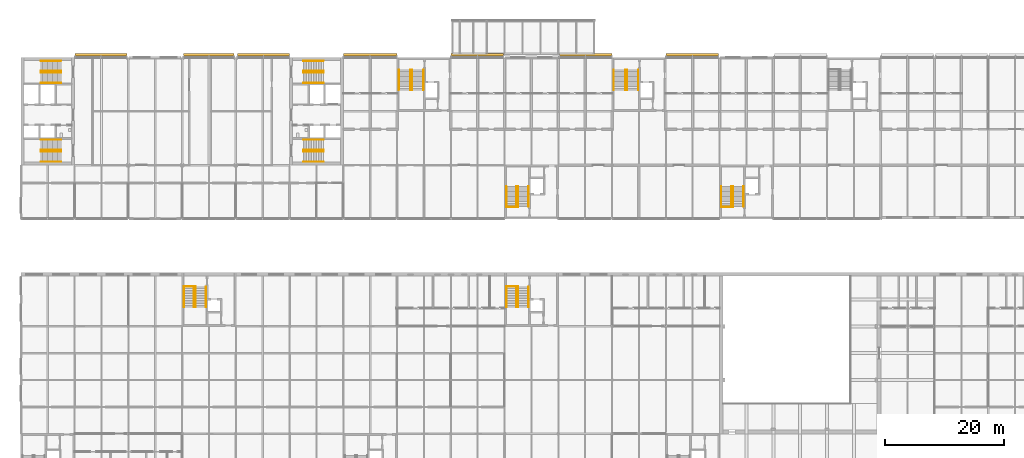
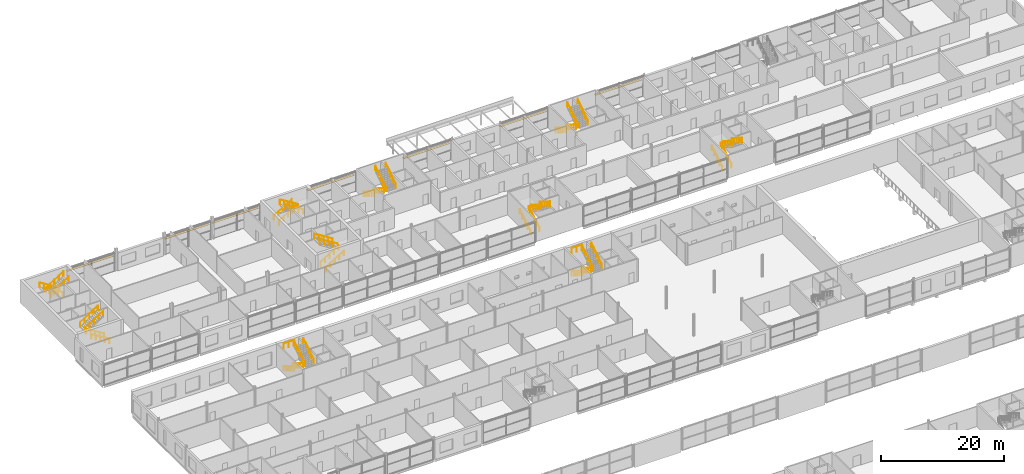
# One storey, part 95 of 97: 44 railings, 7 shading devices.
"""IFC4 building model written with IfcOpenShell, lengths in metres."""

from ifc_helpers import new_model, si_unit, direction, frame, origin, origin_2d, place, context, subcontext, project, spatial, rectangle, circle, extrude, material, layer, layer_set, type_object, element, save


model = new_model("IFC4")

# Units and contexts
model_context = context("Model", 3, precision=1e-05, world=origin(), true_north=direction((0.0, 1.0)))
body_context = subcontext(model_context, "Body", "Model", "MODEL_VIEW")
ifc_project = project(units=[si_unit("LENGTHUNIT", "METRE"), si_unit("AREAUNIT", "SQUARE_METRE"), si_unit("VOLUMEUNIT", "CUBIC_METRE"), si_unit("PLANEANGLEUNIT", "RADIAN"), si_unit("MASSUNIT", "GRAM", prefix="KILO")], contexts=[model_context])

# Site, building, storey
site_placement = place(None, origin())
site = spatial("IfcSite", under=ifc_project, at=site_placement, CompositionType="ELEMENT")
building_placement = place(site_placement, origin())
building = spatial("IfcBuilding", under=site, at=building_placement, Name="Corbel Yard City Hall", CompositionType="ELEMENT")
storey_placement = place(building_placement, frame((0.0, 0.0, 6.0)))
storey = spatial("IfcBuildingStorey", under=building, at=storey_placement, Name="L01", CompositionType="ELEMENT", Elevation=6.0)

# Railings
ifc_material_1 = material(Name="Stainless steel Grade 316", Category="steel")
railing_type_1 = type_object("IfcRailingType", Name="GR1", PredefinedType="GUARDRAIL", material=ifc_material_1)
for number, where, name in (
    (1, (27.300048828125, 78.64990234375, 4.5), "Exit stair guard"),
    (2, (81.300048828125, 78.64990234375, 4.5), "Exit stair guard"),
    (3, (81.300048828125, 92.0, 4.5), "Exit stair guard"),
    (4, (117.300048828125, 92.0, 4.5), "Exit stair guard"),
):
    element("IfcRailing", number, at=place(storey_placement, frame(where)), inside=storey, type_object=railing_type_1, Name=name, PredefinedType="GUARDRAIL", context=body_context, shape_type="SweptSolid", body=[
        extrude(circle(Radius=0.02392578125, at=origin_2d()), frame((0.0, 0.0, 1.076171875), z_axis=(1.0, 0.0, 0.0), x_axis=(0.0, 1.0, 0.0)), (0.0, 0.0, 1.0), 1.949951171875),
        extrude(circle(Radius=0.02099609375, at=origin_2d()), origin(), (0.0, 0.0, 1.0), 1.052001953125),
        extrude(circle(Radius=0.02099609375, at=origin_2d()), frame((0.97509765625, 0.0, 0.0)), (0.0, 0.0, 1.0), 1.052001953125),
        extrude(circle(Radius=0.02099609375, at=origin_2d()), frame((1.949951171875, 0.0, 0.0)), (0.0, 0.0, 1.0), 1.052001953125),
    ])
railing_type_2 = type_object("IfcRailingType", Name="HR1", PredefinedType="HANDRAIL", material=ifc_material_1)
for number, where, name in (
    (5, (27.300048828125, 78.60009765625, 0.173095703125), "Exit stair handrail"),
    (6, (29.0, 78.60009765625, 0.173095703125), "Exit stair handrail"),
):
    element("IfcRailing", number, at=place(storey_placement, frame(where)), inside=storey, type_object=railing_type_2, Name=name, PredefinedType="HANDRAIL", context=body_context, shape_type="SweptSolid", body=[
        extrude(circle(Radius=0.02392578125, at=origin_2d()), frame((0.0, 0.0, 0.8759765625), z_axis=(0.0, -0.850623216509, 0.525775754039), x_axis=(1.0, 0.0, 0.0)), (0.0, 0.0, 1.0), 3.9501953125),
        extrude(circle(Radius=0.02099609375, at=origin_2d()), origin(), (0.0, 0.0, 1.0), 0.851806640625),
        extrude(circle(Radius=0.02099609375, at=origin_2d()), frame((0.0, -0.840087890625, 0.519287109375)), (0.0, 0.0, 1.0), 0.851806640625),
        extrude(circle(Radius=0.02099609375, at=origin_2d()), frame((0.0, -1.68017578125, 1.03857421875)), (0.0, 0.0, 1.0), 0.851806640625),
        extrude(circle(Radius=0.02099609375, at=origin_2d()), frame((0.0, -2.52001953125, 1.5576171875)), (0.0, 0.0, 1.0), 0.851806640625),
        extrude(circle(Radius=0.02099609375, at=origin_2d()), frame((0.0, -3.360107421875, 2.076904296875)), (0.0, 0.0, 1.0), 0.851806640625),
    ])
for number, where, name in (
    (7, (29.300048828125, 75.239990234375, 2.423095703125), "Exit stair handrail"),
    (8, (31.0, 75.239990234375, 2.423095703125), "Exit stair handrail"),
):
    element("IfcRailing", number, at=place(storey_placement, frame(where)), inside=storey, type_object=railing_type_2, Name=name, PredefinedType="HANDRAIL", context=body_context, shape_type="SweptSolid", body=[
        extrude(circle(Radius=0.02392578125, at=origin_2d()), frame((0.0, 0.0, 0.8759765625), z_axis=(0.0, 0.850623216509, 0.525775754039), x_axis=(-1.0, 0.0, 0.0)), (0.0, 0.0, 1.0), 3.9501953125),
        extrude(circle(Radius=0.02099609375, at=origin_2d()), origin(), (0.0, 0.0, 1.0), 0.851806640625),
        extrude(circle(Radius=0.02099609375, at=origin_2d()), frame((0.0, 0.840087890625, 0.519287109375)), (0.0, 0.0, 1.0), 0.851806640625),
        extrude(circle(Radius=0.02099609375, at=origin_2d()), frame((0.0, 1.68017578125, 1.03857421875)), (0.0, 0.0, 1.0), 0.851806640625),
        extrude(circle(Radius=0.02099609375, at=origin_2d()), frame((0.0, 2.52001953125, 1.5576171875)), (0.0, 0.0, 1.0), 0.851806640625),
        extrude(circle(Radius=0.02099609375, at=origin_2d()), frame((0.0, 3.360107421875, 2.076904296875)), (0.0, 0.0, 1.0), 0.851806640625),
    ])
for number, where, name in (
    (9, (81.300048828125, 78.60009765625, 0.173095703125), "Exit stair handrail"),
    (10, (83.0, 78.60009765625, 0.173095703125), "Exit stair handrail"),
):
    element("IfcRailing", number, at=place(storey_placement, frame(where)), inside=storey, type_object=railing_type_2, Name=name, PredefinedType="HANDRAIL", context=body_context, shape_type="SweptSolid", body=[
        extrude(circle(Radius=0.02392578125, at=origin_2d()), frame((0.0, 0.0, 0.8759765625), z_axis=(0.0, -0.850623216509, 0.525775754039), x_axis=(1.0, 0.0, 0.0)), (0.0, 0.0, 1.0), 3.9501953125),
        extrude(circle(Radius=0.02099609375, at=origin_2d()), origin(), (0.0, 0.0, 1.0), 0.851806640625),
        extrude(circle(Radius=0.02099609375, at=origin_2d()), frame((0.0, -0.840087890625, 0.519287109375)), (0.0, 0.0, 1.0), 0.851806640625),
        extrude(circle(Radius=0.02099609375, at=origin_2d()), frame((0.0, -1.68017578125, 1.03857421875)), (0.0, 0.0, 1.0), 0.851806640625),
        extrude(circle(Radius=0.02099609375, at=origin_2d()), frame((0.0, -2.52001953125, 1.5576171875)), (0.0, 0.0, 1.0), 0.851806640625),
        extrude(circle(Radius=0.02099609375, at=origin_2d()), frame((0.0, -3.360107421875, 2.076904296875)), (0.0, 0.0, 1.0), 0.851806640625),
    ])
for number, where, name in (
    (11, (83.300048828125, 75.239990234375, 2.423095703125), "Exit stair handrail"),
    (12, (85.0, 75.239990234375, 2.423095703125), "Exit stair handrail"),
):
    element("IfcRailing", number, at=place(storey_placement, frame(where)), inside=storey, type_object=railing_type_2, Name=name, PredefinedType="HANDRAIL", context=body_context, shape_type="SweptSolid", body=[
        extrude(circle(Radius=0.02392578125, at=origin_2d()), frame((0.0, 0.0, 0.8759765625), z_axis=(0.0, 0.850623216509, 0.525775754039), x_axis=(-1.0, 0.0, 0.0)), (0.0, 0.0, 1.0), 3.9501953125),
        extrude(circle(Radius=0.02099609375, at=origin_2d()), origin(), (0.0, 0.0, 1.0), 0.851806640625),
        extrude(circle(Radius=0.02099609375, at=origin_2d()), frame((0.0, 0.840087890625, 0.519287109375)), (0.0, 0.0, 1.0), 0.851806640625),
        extrude(circle(Radius=0.02099609375, at=origin_2d()), frame((0.0, 1.68017578125, 1.03857421875)), (0.0, 0.0, 1.0), 0.851806640625),
        extrude(circle(Radius=0.02099609375, at=origin_2d()), frame((0.0, 2.52001953125, 1.5576171875)), (0.0, 0.0, 1.0), 0.851806640625),
        extrude(circle(Radius=0.02099609375, at=origin_2d()), frame((0.0, 3.360107421875, 2.076904296875)), (0.0, 0.0, 1.0), 0.851806640625),
    ])
for number, where, name in (
    (13, (63.300048828125, 114.949951171875, 0.173095703125), "Exit stair handrail"),
    (14, (65.199951171875, 114.949951171875, 0.173095703125), "Exit stair handrail"),
):
    element("IfcRailing", number, at=place(storey_placement, frame(where)), inside=storey, type_object=railing_type_2, Name=name, PredefinedType="HANDRAIL", context=body_context, shape_type="SweptSolid", body=[
        extrude(circle(Radius=0.02392578125, at=origin_2d()), frame((0.0, 0.0, 0.8759765625), z_axis=(0.0, -0.850606129759, 0.525803396734), x_axis=(1.0, 0.0, 0.0)), (0.0, 0.0, 1.0), 3.949951171875),
        extrude(circle(Radius=0.02099609375, at=origin_2d()), origin(), (0.0, 0.0, 1.0), 0.851806640625),
        extrude(circle(Radius=0.02099609375, at=origin_2d()), frame((0.0, -0.83984375, 0.519287109375)), (0.0, 0.0, 1.0), 0.851806640625),
        extrude(circle(Radius=0.02099609375, at=origin_2d()), frame((0.0, -1.679931640625, 1.03857421875)), (0.0, 0.0, 1.0), 0.851806640625),
        extrude(circle(Radius=0.02099609375, at=origin_2d()), frame((0.0, -2.52001953125, 1.5576171875)), (0.0, 0.0, 1.0), 0.851806640625),
        extrude(circle(Radius=0.02099609375, at=origin_2d()), frame((0.0, -3.35986328125, 2.076904296875)), (0.0, 0.0, 1.0), 0.851806640625),
    ])
for number, where, name in (
    (15, (65.5, 111.590087890625, 2.423095703125), "Exit stair handrail"),
    (16, (67.39990234375, 111.590087890625, 2.423095703125), "Exit stair handrail"),
):
    element("IfcRailing", number, at=place(storey_placement, frame(where)), inside=storey, type_object=railing_type_2, Name=name, PredefinedType="HANDRAIL", context=body_context, shape_type="SweptSolid", body=[
        extrude(circle(Radius=0.02392578125, at=origin_2d()), frame((0.0, 0.0, 0.8759765625), z_axis=(0.0, 0.850606129759, 0.525803396734), x_axis=(-1.0, 0.0, 0.0)), (0.0, 0.0, 1.0), 3.949951171875),
        extrude(circle(Radius=0.02099609375, at=origin_2d()), origin(), (0.0, 0.0, 1.0), 0.851806640625),
        extrude(circle(Radius=0.02099609375, at=origin_2d()), frame((0.0, 0.83984375, 0.519287109375)), (0.0, 0.0, 1.0), 0.851806640625),
        extrude(circle(Radius=0.02099609375, at=origin_2d()), frame((0.0, 1.679931640625, 1.03857421875)), (0.0, 0.0, 1.0), 0.851806640625),
        extrude(circle(Radius=0.02099609375, at=origin_2d()), frame((0.0, 2.52001953125, 1.5576171875)), (0.0, 0.0, 1.0), 0.851806640625),
        extrude(circle(Radius=0.02099609375, at=origin_2d()), frame((0.0, 3.35986328125, 2.076904296875)), (0.0, 0.0, 1.0), 0.851806640625),
    ])
for number, where, name in (
    (17, (99.300048828125, 114.949951171875, 0.173095703125), "Exit stair handrail"),
    (18, (101.199951171875, 114.949951171875, 0.173095703125), "Exit stair handrail"),
):
    element("IfcRailing", number, at=place(storey_placement, frame(where)), inside=storey, type_object=railing_type_2, Name=name, PredefinedType="HANDRAIL", context=body_context, shape_type="SweptSolid", body=[
        extrude(circle(Radius=0.02392578125, at=origin_2d()), frame((0.0, 0.0, 0.8759765625), z_axis=(0.0, -0.850606129759, 0.525803396734), x_axis=(1.0, 0.0, 0.0)), (0.0, 0.0, 1.0), 3.949951171875),
        extrude(circle(Radius=0.02099609375, at=origin_2d()), origin(), (0.0, 0.0, 1.0), 0.851806640625),
        extrude(circle(Radius=0.02099609375, at=origin_2d()), frame((0.0, -0.83984375, 0.519287109375)), (0.0, 0.0, 1.0), 0.851806640625),
        extrude(circle(Radius=0.02099609375, at=origin_2d()), frame((0.0, -1.679931640625, 1.03857421875)), (0.0, 0.0, 1.0), 0.851806640625),
        extrude(circle(Radius=0.02099609375, at=origin_2d()), frame((0.0, -2.52001953125, 1.5576171875)), (0.0, 0.0, 1.0), 0.851806640625),
        extrude(circle(Radius=0.02099609375, at=origin_2d()), frame((0.0, -3.35986328125, 2.076904296875)), (0.0, 0.0, 1.0), 0.851806640625),
    ])
for number, where, name in (
    (19, (101.5, 111.590087890625, 2.423095703125), "Exit stair handrail"),
    (20, (103.39990234375, 111.590087890625, 2.423095703125), "Exit stair handrail"),
    (21, (81.300048828125, 92.050048828125, 0.173095703125), "Exit stair handrail"),
    (22, (83.0, 92.050048828125, 0.173095703125), "Exit stair handrail"),
):
    element("IfcRailing", number, at=place(storey_placement, frame(where)), inside=storey, type_object=railing_type_2, Name=name, PredefinedType="HANDRAIL", context=body_context, shape_type="SweptSolid", body=[
        extrude(circle(Radius=0.02392578125, at=origin_2d()), frame((0.0, 0.0, 0.8759765625), z_axis=(0.0, 0.850606129759, 0.525803396734), x_axis=(-1.0, 0.0, 0.0)), (0.0, 0.0, 1.0), 3.949951171875),
        extrude(circle(Radius=0.02099609375, at=origin_2d()), origin(), (0.0, 0.0, 1.0), 0.851806640625),
        extrude(circle(Radius=0.02099609375, at=origin_2d()), frame((0.0, 0.83984375, 0.519287109375)), (0.0, 0.0, 1.0), 0.851806640625),
        extrude(circle(Radius=0.02099609375, at=origin_2d()), frame((0.0, 1.679931640625, 1.03857421875)), (0.0, 0.0, 1.0), 0.851806640625),
        extrude(circle(Radius=0.02099609375, at=origin_2d()), frame((0.0, 2.52001953125, 1.5576171875)), (0.0, 0.0, 1.0), 0.851806640625),
        extrude(circle(Radius=0.02099609375, at=origin_2d()), frame((0.0, 3.35986328125, 2.076904296875)), (0.0, 0.0, 1.0), 0.851806640625),
    ])
for number, where, name in (
    (23, (83.300048828125, 95.409912109375, 2.423095703125), "Exit stair handrail"),
    (24, (85.0, 95.409912109375, 2.423095703125), "Exit stair handrail"),
):
    element("IfcRailing", number, at=place(storey_placement, frame(where)), inside=storey, type_object=railing_type_2, Name=name, PredefinedType="HANDRAIL", context=body_context, shape_type="SweptSolid", body=[
        extrude(circle(Radius=0.02392578125, at=origin_2d()), frame((0.0, 0.0, 0.8759765625), z_axis=(0.0, -0.850606129759, 0.525803396734), x_axis=(1.0, 0.0, 0.0)), (0.0, 0.0, 1.0), 3.949951171875),
        extrude(circle(Radius=0.02099609375, at=origin_2d()), origin(), (0.0, 0.0, 1.0), 0.851806640625),
        extrude(circle(Radius=0.02099609375, at=origin_2d()), frame((0.0, -0.83984375, 0.519287109375)), (0.0, 0.0, 1.0), 0.851806640625),
        extrude(circle(Radius=0.02099609375, at=origin_2d()), frame((0.0, -1.679931640625, 1.03857421875)), (0.0, 0.0, 1.0), 0.851806640625),
        extrude(circle(Radius=0.02099609375, at=origin_2d()), frame((0.0, -2.52001953125, 1.5576171875)), (0.0, 0.0, 1.0), 0.851806640625),
        extrude(circle(Radius=0.02099609375, at=origin_2d()), frame((0.0, -3.35986328125, 2.076904296875)), (0.0, 0.0, 1.0), 0.851806640625),
    ])
for number, where, name in (
    (25, (117.300048828125, 92.050048828125, 0.173095703125), "Exit stair handrail"),
    (26, (119.0, 92.050048828125, 0.173095703125), "Exit stair handrail"),
):
    element("IfcRailing", number, at=place(storey_placement, frame(where)), inside=storey, type_object=railing_type_2, Name=name, PredefinedType="HANDRAIL", context=body_context, shape_type="SweptSolid", body=[
        extrude(circle(Radius=0.02392578125, at=origin_2d()), frame((0.0, 0.0, 0.8759765625), z_axis=(0.0, 0.850606129759, 0.525803396734), x_axis=(-1.0, 0.0, 0.0)), (0.0, 0.0, 1.0), 3.949951171875),
        extrude(circle(Radius=0.02099609375, at=origin_2d()), origin(), (0.0, 0.0, 1.0), 0.851806640625),
        extrude(circle(Radius=0.02099609375, at=origin_2d()), frame((0.0, 0.83984375, 0.519287109375)), (0.0, 0.0, 1.0), 0.851806640625),
        extrude(circle(Radius=0.02099609375, at=origin_2d()), frame((0.0, 1.679931640625, 1.03857421875)), (0.0, 0.0, 1.0), 0.851806640625),
        extrude(circle(Radius=0.02099609375, at=origin_2d()), frame((0.0, 2.52001953125, 1.5576171875)), (0.0, 0.0, 1.0), 0.851806640625),
        extrude(circle(Radius=0.02099609375, at=origin_2d()), frame((0.0, 3.35986328125, 2.076904296875)), (0.0, 0.0, 1.0), 0.851806640625),
    ])
for number, where, name in (
    (27, (119.300048828125, 95.409912109375, 2.423095703125), "Exit stair handrail"),
    (28, (121.0, 95.409912109375, 2.423095703125), "Exit stair handrail"),
):
    element("IfcRailing", number, at=place(storey_placement, frame(where)), inside=storey, type_object=railing_type_2, Name=name, PredefinedType="HANDRAIL", context=body_context, shape_type="SweptSolid", body=[
        extrude(circle(Radius=0.02392578125, at=origin_2d()), frame((0.0, 0.0, 0.8759765625), z_axis=(0.0, -0.850606129759, 0.525803396734), x_axis=(1.0, 0.0, 0.0)), (0.0, 0.0, 1.0), 3.949951171875),
        extrude(circle(Radius=0.02099609375, at=origin_2d()), origin(), (0.0, 0.0, 1.0), 0.851806640625),
        extrude(circle(Radius=0.02099609375, at=origin_2d()), frame((0.0, -0.83984375, 0.519287109375)), (0.0, 0.0, 1.0), 0.851806640625),
        extrude(circle(Radius=0.02099609375, at=origin_2d()), frame((0.0, -1.679931640625, 1.03857421875)), (0.0, 0.0, 1.0), 0.851806640625),
        extrude(circle(Radius=0.02099609375, at=origin_2d()), frame((0.0, -2.52001953125, 1.5576171875)), (0.0, 0.0, 1.0), 0.851806640625),
        extrude(circle(Radius=0.02099609375, at=origin_2d()), frame((0.0, -3.35986328125, 2.076904296875)), (0.0, 0.0, 1.0), 0.851806640625),
    ])
for number, where, name in (
    (29, (6.699951171875, 99.550048828125, 0.173095703125), "Exit stair ST-W1 handrail"),
    (30, (6.699951171875, 101.25, 0.173095703125), "Exit stair ST-W1 handrail"),
):
    element("IfcRailing", number, at=place(storey_placement, frame(where)), inside=storey, type_object=railing_type_2, Name=name, PredefinedType="HANDRAIL", context=body_context, shape_type="SweptSolid", body=[
        extrude(circle(Radius=0.02392578125, at=origin_2d()), frame((0.0, 0.0, 0.8759765625), z_axis=(-0.850606129759, 0.0, 0.525803396734), x_axis=(0.0, -1.0, 0.0)), (0.0, 0.0, 1.0), 3.949951171875),
        extrude(circle(Radius=0.02099609375, at=origin_2d()), origin(), (0.0, 0.0, 1.0), 0.851806640625),
        extrude(circle(Radius=0.02099609375, at=origin_2d()), frame((-0.83984375, 0.0, 0.519287109375)), (0.0, 0.0, 1.0), 0.851806640625),
        extrude(circle(Radius=0.02099609375, at=origin_2d()), frame((-1.679931640625, 0.0, 1.03857421875)), (0.0, 0.0, 1.0), 0.851806640625),
        extrude(circle(Radius=0.02099609375, at=origin_2d()), frame((-2.52001953125, 0.0, 1.5576171875)), (0.0, 0.0, 1.0), 0.851806640625),
        extrude(circle(Radius=0.02099609375, at=origin_2d()), frame((-3.35986328125, 0.0, 2.076904296875)), (0.0, 0.0, 1.0), 0.851806640625),
    ])
for number, where, name in (
    (31, (3.340087890625, 101.550048828125, 2.423095703125), "Exit stair ST-W1 handrail"),
    (32, (3.340087890625, 103.25, 2.423095703125), "Exit stair ST-W1 handrail"),
):
    element("IfcRailing", number, at=place(storey_placement, frame(where)), inside=storey, type_object=railing_type_2, Name=name, PredefinedType="HANDRAIL", context=body_context, shape_type="SweptSolid", body=[
        extrude(circle(Radius=0.02392578125, at=origin_2d()), frame((0.0, 0.0, 0.8759765625), z_axis=(0.850606129759, 0.0, 0.525803396734), x_axis=(0.0, 1.0, 0.0)), (0.0, 0.0, 1.0), 3.949951171875),
        extrude(circle(Radius=0.02099609375, at=origin_2d()), origin(), (0.0, 0.0, 1.0), 0.851806640625),
        extrude(circle(Radius=0.02099609375, at=origin_2d()), frame((0.83984375, 0.0, 0.519287109375)), (0.0, 0.0, 1.0), 0.851806640625),
        extrude(circle(Radius=0.02099609375, at=origin_2d()), frame((1.679931640625, 0.0, 1.03857421875)), (0.0, 0.0, 1.0), 0.851806640625),
        extrude(circle(Radius=0.02099609375, at=origin_2d()), frame((2.52001953125, 0.0, 1.5576171875)), (0.0, 0.0, 1.0), 0.851806640625),
        extrude(circle(Radius=0.02099609375, at=origin_2d()), frame((3.35986328125, 0.0, 2.076904296875)), (0.0, 0.0, 1.0), 0.851806640625),
    ])
for number, where, name in (
    (33, (6.699951171875, 116.449951171875, 0.173095703125), "Exit stair ST-W2 handrail"),
    (34, (6.699951171875, 114.75, 0.173095703125), "Exit stair ST-W2 handrail"),
):
    element("IfcRailing", number, at=place(storey_placement, frame(where)), inside=storey, type_object=railing_type_2, Name=name, PredefinedType="HANDRAIL", context=body_context, shape_type="SweptSolid", body=[
        extrude(circle(Radius=0.02392578125, at=origin_2d()), frame((0.0, 0.0, 0.8759765625), z_axis=(-0.850606129759, 0.0, 0.525803396734), x_axis=(0.0, -1.0, 0.0)), (0.0, 0.0, 1.0), 3.949951171875),
        extrude(circle(Radius=0.02099609375, at=origin_2d()), origin(), (0.0, 0.0, 1.0), 0.851806640625),
        extrude(circle(Radius=0.02099609375, at=origin_2d()), frame((-0.83984375, 0.0, 0.519287109375)), (0.0, 0.0, 1.0), 0.851806640625),
        extrude(circle(Radius=0.02099609375, at=origin_2d()), frame((-1.679931640625, 0.0, 1.03857421875)), (0.0, 0.0, 1.0), 0.851806640625),
        extrude(circle(Radius=0.02099609375, at=origin_2d()), frame((-2.52001953125, 0.0, 1.5576171875)), (0.0, 0.0, 1.0), 0.851806640625),
        extrude(circle(Radius=0.02099609375, at=origin_2d()), frame((-3.35986328125, 0.0, 2.076904296875)), (0.0, 0.0, 1.0), 0.851806640625),
    ])
for number, where, name in (
    (35, (3.340087890625, 114.449951171875, 2.423095703125), "Exit stair ST-W2 handrail"),
    (36, (3.340087890625, 112.75, 2.423095703125), "Exit stair ST-W2 handrail"),
    (37, (47.300048828125, 99.550048828125, 0.173095703125), "Exit stair ST-E1 handrail"),
    (38, (47.300048828125, 101.25, 0.173095703125), "Exit stair ST-E1 handrail"),
):
    element("IfcRailing", number, at=place(storey_placement, frame(where)), inside=storey, type_object=railing_type_2, Name=name, PredefinedType="HANDRAIL", context=body_context, shape_type="SweptSolid", body=[
        extrude(circle(Radius=0.02392578125, at=origin_2d()), frame((0.0, 0.0, 0.8759765625), z_axis=(0.850606129759, 0.0, 0.525803396734), x_axis=(0.0, 1.0, 0.0)), (0.0, 0.0, 1.0), 3.949951171875),
        extrude(circle(Radius=0.02099609375, at=origin_2d()), origin(), (0.0, 0.0, 1.0), 0.851806640625),
        extrude(circle(Radius=0.02099609375, at=origin_2d()), frame((0.83984375, 0.0, 0.519287109375)), (0.0, 0.0, 1.0), 0.851806640625),
        extrude(circle(Radius=0.02099609375, at=origin_2d()), frame((1.679931640625, 0.0, 1.03857421875)), (0.0, 0.0, 1.0), 0.851806640625),
        extrude(circle(Radius=0.02099609375, at=origin_2d()), frame((2.52001953125, 0.0, 1.5576171875)), (0.0, 0.0, 1.0), 0.851806640625),
        extrude(circle(Radius=0.02099609375, at=origin_2d()), frame((3.35986328125, 0.0, 2.076904296875)), (0.0, 0.0, 1.0), 0.851806640625),
    ])
for number, where, name in (
    (39, (50.659912109375, 101.550048828125, 2.423095703125), "Exit stair ST-E1 handrail"),
    (40, (50.659912109375, 103.25, 2.423095703125), "Exit stair ST-E1 handrail"),
):
    element("IfcRailing", number, at=place(storey_placement, frame(where)), inside=storey, type_object=railing_type_2, Name=name, PredefinedType="HANDRAIL", context=body_context, shape_type="SweptSolid", body=[
        extrude(circle(Radius=0.02392578125, at=origin_2d()), frame((0.0, 0.0, 0.8759765625), z_axis=(-0.850606129759, 0.0, 0.525803396734), x_axis=(0.0, -1.0, 0.0)), (0.0, 0.0, 1.0), 3.949951171875),
        extrude(circle(Radius=0.02099609375, at=origin_2d()), origin(), (0.0, 0.0, 1.0), 0.851806640625),
        extrude(circle(Radius=0.02099609375, at=origin_2d()), frame((-0.83984375, 0.0, 0.519287109375)), (0.0, 0.0, 1.0), 0.851806640625),
        extrude(circle(Radius=0.02099609375, at=origin_2d()), frame((-1.679931640625, 0.0, 1.03857421875)), (0.0, 0.0, 1.0), 0.851806640625),
        extrude(circle(Radius=0.02099609375, at=origin_2d()), frame((-2.52001953125, 0.0, 1.5576171875)), (0.0, 0.0, 1.0), 0.851806640625),
        extrude(circle(Radius=0.02099609375, at=origin_2d()), frame((-3.35986328125, 0.0, 2.076904296875)), (0.0, 0.0, 1.0), 0.851806640625),
    ])
for number, where, name in (
    (41, (47.300048828125, 116.449951171875, 0.173095703125), "Exit stair ST-E2 handrail"),
    (42, (47.300048828125, 114.75, 0.173095703125), "Exit stair ST-E2 handrail"),
):
    element("IfcRailing", number, at=place(storey_placement, frame(where)), inside=storey, type_object=railing_type_2, Name=name, PredefinedType="HANDRAIL", context=body_context, shape_type="SweptSolid", body=[
        extrude(circle(Radius=0.02392578125, at=origin_2d()), frame((0.0, 0.0, 0.8759765625), z_axis=(0.850606129759, 0.0, 0.525803396734), x_axis=(0.0, 1.0, 0.0)), (0.0, 0.0, 1.0), 3.949951171875),
        extrude(circle(Radius=0.02099609375, at=origin_2d()), origin(), (0.0, 0.0, 1.0), 0.851806640625),
        extrude(circle(Radius=0.02099609375, at=origin_2d()), frame((0.83984375, 0.0, 0.519287109375)), (0.0, 0.0, 1.0), 0.851806640625),
        extrude(circle(Radius=0.02099609375, at=origin_2d()), frame((1.679931640625, 0.0, 1.03857421875)), (0.0, 0.0, 1.0), 0.851806640625),
        extrude(circle(Radius=0.02099609375, at=origin_2d()), frame((2.52001953125, 0.0, 1.5576171875)), (0.0, 0.0, 1.0), 0.851806640625),
        extrude(circle(Radius=0.02099609375, at=origin_2d()), frame((3.35986328125, 0.0, 2.076904296875)), (0.0, 0.0, 1.0), 0.851806640625),
    ])
for number, where, name in (
    (43, (50.659912109375, 114.449951171875, 2.423095703125), "Exit stair ST-E2 handrail"),
    (44, (50.659912109375, 112.75, 2.423095703125), "Exit stair ST-E2 handrail"),
):
    element("IfcRailing", number, at=place(storey_placement, frame(where)), inside=storey, type_object=railing_type_2, Name=name, PredefinedType="HANDRAIL", context=body_context, shape_type="SweptSolid", body=[
        extrude(circle(Radius=0.02392578125, at=origin_2d()), frame((0.0, 0.0, 0.8759765625), z_axis=(-0.850606129759, 0.0, 0.525803396734), x_axis=(0.0, -1.0, 0.0)), (0.0, 0.0, 1.0), 3.949951171875),
        extrude(circle(Radius=0.02099609375, at=origin_2d()), origin(), (0.0, 0.0, 1.0), 0.851806640625),
        extrude(circle(Radius=0.02099609375, at=origin_2d()), frame((-0.83984375, 0.0, 0.519287109375)), (0.0, 0.0, 1.0), 0.851806640625),
        extrude(circle(Radius=0.02099609375, at=origin_2d()), frame((-1.679931640625, 0.0, 1.03857421875)), (0.0, 0.0, 1.0), 0.851806640625),
        extrude(circle(Radius=0.02099609375, at=origin_2d()), frame((-2.52001953125, 0.0, 1.5576171875)), (0.0, 0.0, 1.0), 0.851806640625),
        extrude(circle(Radius=0.02099609375, at=origin_2d()), frame((-3.35986328125, 0.0, 2.076904296875)), (0.0, 0.0, 1.0), 0.851806640625),
    ])

# Shading devices
ifc_material_2 = material(Name="Anodised aluminium", Category="aluminium")
ifc_layer = layer(ifc_material_2, 0.050048828125)
ifc_layer_set = layer_set([ifc_layer], Name="Anodised aluminium")
shading_device_type = type_object("IfcShadingDeviceType", Name="LV2", PredefinedType="JALOUSIE", material=ifc_layer_set)
shading_device_1_placement = place(storey_placement, frame((13.3798828125, 117.47509765625, 2.77001953125), z_axis=(0.0, 0.0, 1.0), x_axis=(1.0, 0.0, 0.0)))
element("IfcShadingDevice", 45, at=shading_device_1_placement, inside=storey, type_object=shading_device_type, Name="Louvre blade", PredefinedType="JALOUSIE", context=body_context, shape_type="SweptSolid", body=[
    extrude(rectangle(XDim=8.695068359375, YDim=0.449951171875, at=origin_2d()), origin(), (0.0, 0.0, 1.0), 0.050048828125),
])
shading_device_2_placement = place(storey_placement, frame((31.5, 117.47509765625, 2.77001953125), z_axis=(0.0, 0.0, 1.0), x_axis=(1.0, 0.0, 0.0)))
element("IfcShadingDevice", 46, at=shading_device_2_placement, inside=storey, type_object=shading_device_type, Name="Louvre blade", PredefinedType="JALOUSIE", context=body_context, shape_type="SweptSolid", body=[
    extrude(rectangle(XDim=8.455078125, YDim=0.449951171875, at=origin_2d()), origin(), (0.0, 0.0, 1.0), 0.050048828125),
])
shading_device_3_placement = place(storey_placement, frame((40.6201171875, 117.47509765625, 2.77001953125), z_axis=(0.0, 0.0, 1.0), x_axis=(1.0, 0.0, 0.0)))
element("IfcShadingDevice", 47, at=shading_device_3_placement, inside=storey, type_object=shading_device_type, Name="Louvre blade", PredefinedType="JALOUSIE", context=body_context, shape_type="SweptSolid", body=[
    extrude(rectangle(XDim=8.695068359375, YDim=0.449951171875, at=origin_2d()), origin(), (0.0, 0.0, 1.0), 0.050048828125),
])
shading_device_4_placement = place(storey_placement, frame((58.5, 117.47509765625, 3.0), z_axis=(0.0, 0.0, 1.0), x_axis=(1.0, 0.0, 0.0)))
element("IfcShadingDevice", 48, at=shading_device_4_placement, inside=storey, type_object=shading_device_type, Name="Louvre blade", PredefinedType="JALOUSIE", context=body_context, shape_type="SweptSolid", body=[
    extrude(rectangle(XDim=8.93505859375, YDim=0.449951171875, at=origin_2d()), origin(), (0.0, 0.0, 1.0), 0.050048828125),
])
for number, where, z_axis, x_axis, name in (
    (49, (76.43505859375, 117.47509765625, 3.033203125), (0.0, 0.0, 1.0), (1.0, 0.0, 0.0), "Louvre blade"),
    (50, (94.56494140625, 117.47509765625, 3.033203125), (0.0, 0.0, 1.0), (1.0, 0.0, 0.0), "Louvre blade"),
    (51, (112.43505859375, 117.47509765625, 3.033203125), (0.0, 0.0, 1.0), (1.0, 0.0, 0.0), "Louvre blade"),
):
    element("IfcShadingDevice", number, at=place(storey_placement, frame(where, z_axis=z_axis, x_axis=x_axis)), inside=storey, type_object=shading_device_type, Name=name, PredefinedType="JALOUSIE", context=body_context, shape_type="SweptSolid", body=[
        extrude(rectangle(XDim=8.804931640625, YDim=0.449951171875, at=origin_2d()), origin(), (0.0, 0.0, 1.0), 0.050048828125),
    ])

save(model, "model.ifc")
